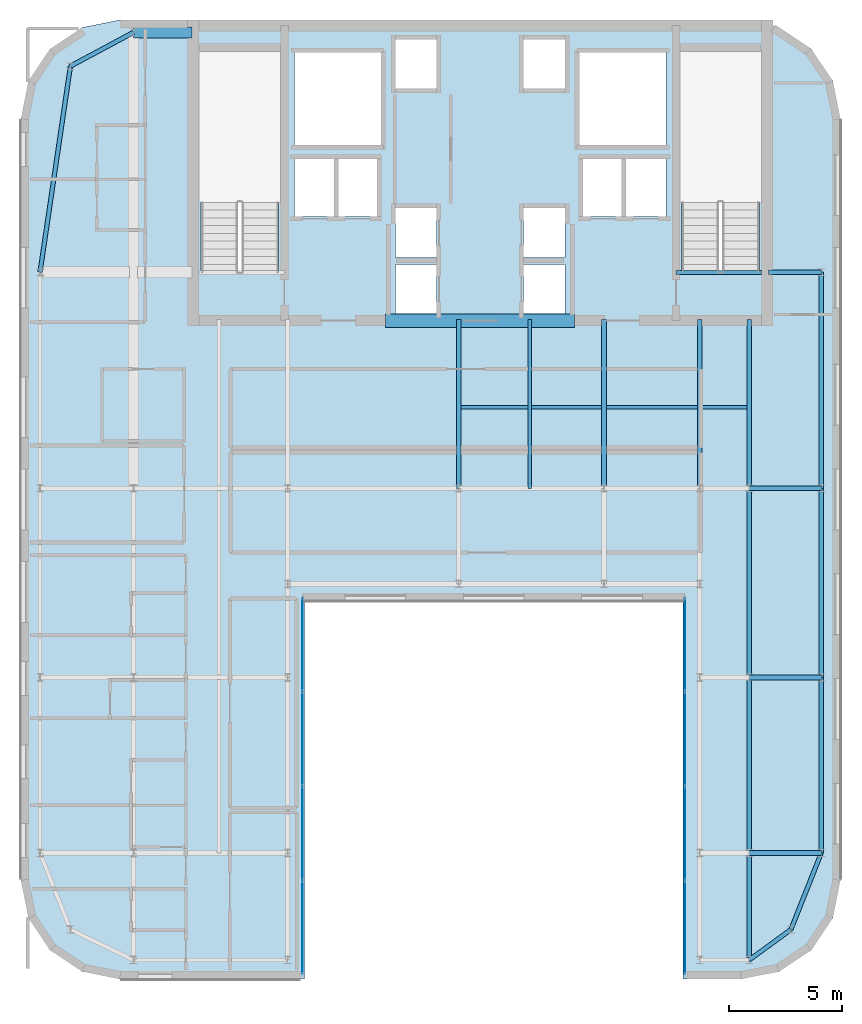
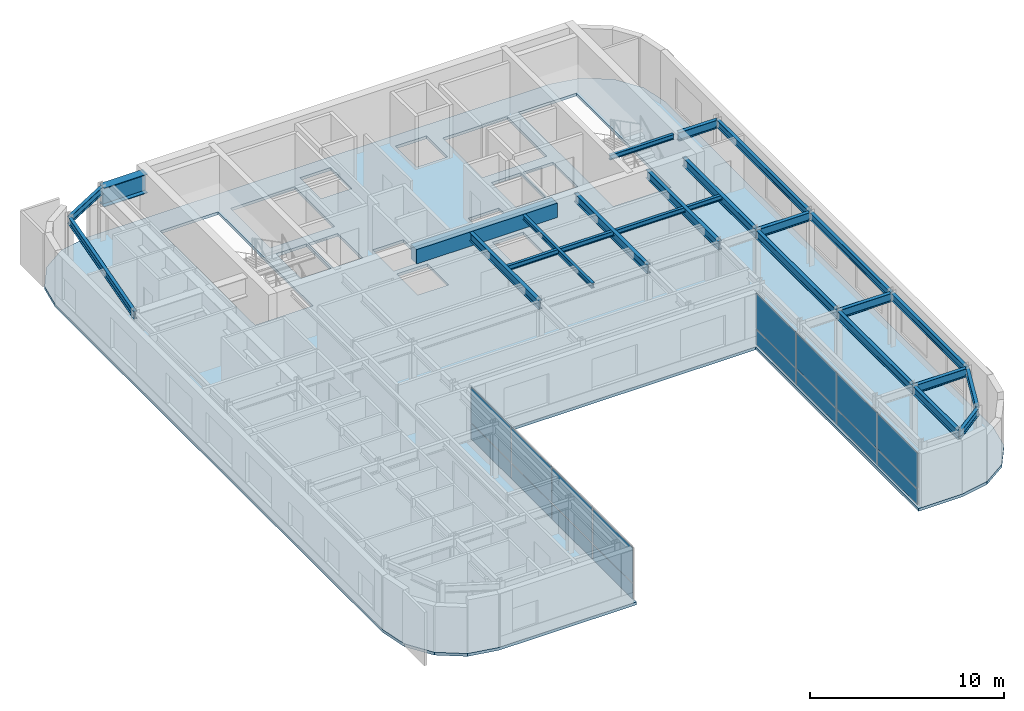
# One storey, part 12 of 21: 23 beams, 16 plates, 1 slab, 2 elements without a shape of their own.
"""IFC4 building model written with IfcOpenShell, lengths in metres."""

from ifc_helpers import new_model, si_unit, direction, frame, origin, origin_2d, place, context, subcontext, project, spatial, polyline, rectangle, i_section, outline, extrude, source, transform, mapped, material, layer, layer_set, material_profile, profile_set, type_object, type_shapes, element, aggregate, save


model = new_model("IFC4")

# Units and contexts
model_context = context("Model", 3, precision=1e-05, world=origin(), true_north=direction((0.0, 1.0)))
body_context = subcontext(model_context, "Body", "Model", "MODEL_VIEW")
ifc_project = project(units=[si_unit("LENGTHUNIT", "METRE"), si_unit("AREAUNIT", "SQUARE_METRE"), si_unit("VOLUMEUNIT", "CUBIC_METRE"), si_unit("PLANEANGLEUNIT", "RADIAN"), si_unit("MASSUNIT", "GRAM", prefix="KILO")], contexts=[model_context])

# Site, building, storey
site_placement = place(None, origin())
site = spatial("IfcSite", under=ifc_project, at=site_placement, CompositionType="ELEMENT")
building_placement = place(site_placement, origin())
building = spatial("IfcBuilding", under=site, at=building_placement, Name="Tolvann Quenvar Hotel", CompositionType="ELEMENT")
storey_placement = place(building_placement, frame((0.0, 0.0, 262.949951171875)))
storey = spatial("IfcBuildingStorey", under=building, at=storey_placement, Name="L70", CompositionType="ELEMENT", Elevation=262.949951171875)

# Beams
ifc_material_1 = material(Name="Concrete N50 (50 MPa)", Category="concrete")
ifc_material_profile_1 = material_profile(ifc_material_1, rectangle(XDim=0.60009765625, YDim=0.89990234375, at=origin_2d()), Name="RC600x900")
ifc_profile_set_1 = profile_set([ifc_material_profile_1], Name="Concrete N50 (50 MPa)")
beam_type_1 = type_object("IfcBeamType", Name="BM_LINT_RC600x900", PredefinedType="LINTEL", material=ifc_profile_set_1)
shared_shape_1 = source(origin(), body_context, "Body", "SweptSolid", [
    extrude(rectangle(XDim=0.60009765625, YDim=0.89990234375, at=origin_2d()), origin(), (0.0, 0.0, 1.0), 8.39990234375),
])
type_shapes(beam_type_1, [shared_shape_1])
beam_1_placement = place(storey_placement, frame((18.800048828125, 31.85009765625, 2.920166015625), z_axis=(1.0, 0.0, 0.0), x_axis=(0.0, 1.0, 0.0)))
element("IfcBeam", 1, at=beam_1_placement, inside=storey, type_object=beam_type_1, Name="Core Coupling Lintel Beam (L70)", PredefinedType="LINTEL", context=body_context, shape_type="MappedRepresentation", body=[
    mapped(shared_shape_1, transform((0.0, 0.0, 0.0), x_axis=(1.0, 0.0, 0.0), y_axis=(0.0, 1.0, 0.0), z_axis=(0.0, 0.0, 1.0), scale=1.0)),
])
ifc_material_2 = material(Name="Steel Grade 350", Category="steel")
ifc_material_profile_2 = material_profile(ifc_material_2, i_section(OverallWidth=0.208984375, OverallDepth=0.532958984375, WebThickness=0.01025390625, FlangeThickness=0.015625, FilletRadius=0.013916015625, at=origin_2d()), Name="530UB92")
ifc_profile_set_2 = profile_set([ifc_material_profile_2], Name="Steel Grade 350")
beam_type_2 = type_object("IfcBeamType", Name="BM_GIRD_530UB92", PredefinedType="BEAM", material=ifc_profile_set_2)
shared_shape_2 = source(origin(), body_context, "Body", "SweptSolid", [
    extrude(i_section(OverallWidth=0.208984375, OverallDepth=0.532958984375, WebThickness=0.01025390625, FlangeThickness=0.015625, FilletRadius=0.013916015625, at=origin_2d()), origin(), (0.0, 0.0, 1.0), 7.800048828125),
])
beam_2_placement = place(storey_placement, frame((34.949951171875, 8.199951171875, 3.103515625), z_axis=(0.0, 1.0, 0.0), x_axis=(-1.0, 0.0, 0.0)))
element("IfcBeam", 2, at=beam_2_placement, inside=storey, type_object=beam_type_2, Name="BM-L70-NS-F3-F4", PredefinedType="BEAM", context=body_context, shape_type="MappedRepresentation", body=[
    mapped(shared_shape_2, transform((0.0, 0.0, 0.0), x_axis=(1.0, 0.0, 0.0), y_axis=(0.0, 1.0, 0.0), z_axis=(0.0, 0.0, 1.0), scale=1.0)),
])
shared_shape_3 = source(origin(), body_context, "Body", "SweptSolid", [
    extrude(i_section(OverallWidth=0.208984375, OverallDepth=0.532958984375, WebThickness=0.01025390625, FlangeThickness=0.015625, FilletRadius=0.013916015625, at=origin_2d()), origin(), (0.0, 0.0, 1.0), 8.39990234375),
])
beam_3_placement = place(storey_placement, frame((34.949951171875, 16.0, 3.103515625), z_axis=(0.0, 1.0, 0.0), x_axis=(-1.0, 0.0, 0.0)))
element("IfcBeam", 3, at=beam_3_placement, inside=storey, type_object=beam_type_2, Name="BM-L70-NS-F4-F5", PredefinedType="BEAM", context=body_context, shape_type="MappedRepresentation", body=[
    mapped(shared_shape_3, transform((0.0, 0.0, 0.0), x_axis=(1.0, 0.0, 0.0), y_axis=(0.0, 1.0, 0.0), z_axis=(0.0, 0.0, 1.0), scale=1.0)),
])
ifc_material_profile_3 = material_profile(ifc_material_2, i_section(OverallWidth=0.5, OverallDepth=1.199951171875, WebThickness=0.01611328125, FlangeThickness=0.0400390625, at=origin_2d()), Name="1200WB455")
ifc_profile_set_3 = profile_set([ifc_material_profile_3], Name="Steel Grade 350")
beam_type_3 = type_object("IfcBeamType", Name="BM_TG_1200WB455", PredefinedType="USERDEFINED", material=ifc_profile_set_3)
shared_shape_4 = source(origin(), body_context, "Body", "SweptSolid", [
    extrude(i_section(OverallWidth=0.5, OverallDepth=1.199951171875, WebThickness=0.01611328125, FlangeThickness=0.0400390625, at=origin_2d()), origin(), (0.0, 0.0, 1.0), 2.599853515625),
])
type_shapes(beam_type_3, [shared_shape_4])
beam_4_placement = place(storey_placement, frame((7.60009765625, 44.64990234375, 2.77001953125), z_axis=(1.0, 0.0, 0.0), x_axis=(0.0, 1.0, 0.0)))
element("IfcBeam", 4, at=beam_4_placement, inside=storey, type_object=beam_type_3, Name="BM-L70-CTW-CN", ObjectType="TRANSFER GIRDER", PredefinedType="USERDEFINED", context=body_context, shape_type="MappedRepresentation", body=[
    mapped(shared_shape_4, transform((0.0, 0.0, 0.0), x_axis=(1.0, 0.0, 0.0), y_axis=(0.0, 1.0, 0.0), z_axis=(0.0, 0.0, 1.0), scale=1.0)),
])
ifc_material_profile_4 = material_profile(ifc_material_2, i_section(OverallWidth=0.166015625, OverallDepth=0.306884765625, WebThickness=0.006591796875, FlangeThickness=0.01171875, FilletRadius=0.011474609375, at=origin_2d()), Name="310UB46")
ifc_profile_set_4 = profile_set([ifc_material_profile_4], Name="Steel Grade 350")
beam_type_4 = type_object("IfcBeamType", Name="BM_JOIST_310UB46", PredefinedType="JOIST", material=ifc_profile_set_4)
shared_shape_5 = source(origin(), body_context, "Body", "SweptSolid", [
    extrude(i_section(OverallWidth=0.166015625, OverallDepth=0.306884765625, WebThickness=0.006591796875, FlangeThickness=0.01171875, FilletRadius=0.011474609375, at=origin_2d()), origin(), (0.0, 0.0, 1.0), 3.800048828125),
])
beam_5_placement = place(storey_placement, frame((31.699951171875, 33.97998046875, 3.216552734375), z_axis=(1.0, 0.0, 0.0), x_axis=(0.0, 1.0, 0.0)))
element("IfcBeam", 5, at=beam_5_placement, inside=storey, type_object=beam_type_4, Name="BM-HDR-STC2-L71", PredefinedType="JOIST", context=body_context, shape_type="MappedRepresentation", body=[
    mapped(shared_shape_5, transform((0.0, 0.0, 0.0), x_axis=(1.0, 0.0, 0.0), y_axis=(0.0, 1.0, 0.0), z_axis=(0.0, 0.0, 1.0), scale=1.0)),
])
shared_shape_6 = source(origin(), body_context, "Body", "SweptSolid", [
    extrude(i_section(OverallWidth=0.208984375, OverallDepth=0.532958984375, WebThickness=0.01025390625, FlangeThickness=0.015625, FilletRadius=0.013916015625, at=origin_2d()), origin(), (0.0, 0.0, 1.0), 4.75),
])
beam_6_placement = place(storey_placement, frame((34.949951171875, 3.449951171875, 3.103515625), z_axis=(0.0, 1.0, 0.0), x_axis=(-1.0, 0.0, 0.0)))
element("IfcBeam", 6, at=beam_6_placement, inside=storey, type_object=beam_type_2, Name="BM-L70-NS-F2-F3", PredefinedType="BEAM", context=body_context, shape_type="MappedRepresentation", body=[
    mapped(shared_shape_6, transform((0.0, 0.0, 0.0), x_axis=(1.0, 0.0, 0.0), y_axis=(0.0, 1.0, 0.0), z_axis=(0.0, 0.0, 1.0), scale=1.0)),
])
ifc_material_profile_5 = material_profile(ifc_material_2, i_section(OverallWidth=0.19091796875, OverallDepth=0.4599609375, WebThickness=0.010009765625, FlangeThickness=0.01611328125, FilletRadius=0.011474609375, at=origin_2d()), Name="460UB82")
ifc_profile_set_5 = profile_set([ifc_material_profile_5], Name="Steel Grade 350")
beam_type_5 = type_object("IfcBeamType", Name="BM_SPAND_460UB82", PredefinedType="SPANDREL", material=ifc_profile_set_5)
shared_shape_7 = source(origin(), body_context, "Body", "SweptSolid", [
    extrude(i_section(OverallWidth=0.19091796875, OverallDepth=0.4599609375, WebThickness=0.010009765625, FlangeThickness=0.01611328125, FilletRadius=0.011474609375, at=origin_2d()), origin(), (0.0, 0.0, 1.0), 7.800048828125),
])
beam_7_placement = place(storey_placement, frame((38.14990234375, 8.199951171875, 3.14013671875), z_axis=(0.0, 1.0, 0.0), x_axis=(-1.0, 0.0, 0.0)))
element("IfcBeam", 7, at=beam_7_placement, inside=storey, type_object=beam_type_5, Name="BM-L70-NS-G3-G4", PredefinedType="SPANDREL", context=body_context, shape_type="MappedRepresentation", body=[
    mapped(shared_shape_7, transform((0.0, 0.0, 0.0), x_axis=(1.0, 0.0, 0.0), y_axis=(0.0, 1.0, 0.0), z_axis=(0.0, 0.0, 1.0), scale=1.0)),
])
shared_shape_8 = source(origin(), body_context, "Body", "SweptSolid", [
    extrude(i_section(OverallWidth=0.19091796875, OverallDepth=0.4599609375, WebThickness=0.010009765625, FlangeThickness=0.01611328125, FilletRadius=0.011474609375, at=origin_2d()), origin(), (0.0, 0.0, 1.0), 8.39990234375),
])
beam_8_placement = place(storey_placement, frame((38.14990234375, 16.0, 3.14013671875), z_axis=(0.0, 1.0, 0.0), x_axis=(-1.0, 0.0, 0.0)))
element("IfcBeam", 8, at=beam_8_placement, inside=storey, type_object=beam_type_5, Name="BM-L70-NS-G4-G5", PredefinedType="SPANDREL", context=body_context, shape_type="MappedRepresentation", body=[
    mapped(shared_shape_8, transform((0.0, 0.0, 0.0), x_axis=(1.0, 0.0, 0.0), y_axis=(0.0, 1.0, 0.0), z_axis=(0.0, 0.0, 1.0), scale=1.0)),
])
shared_shape_9 = source(origin(), body_context, "Body", "SweptSolid", [
    extrude(i_section(OverallWidth=0.19091796875, OverallDepth=0.4599609375, WebThickness=0.010009765625, FlangeThickness=0.01611328125, FilletRadius=0.011474609375, at=origin_2d()), origin(), (0.0, 0.0, 1.0), 3.657958984375),
])
beam_9_placement = place(storey_placement, frame((36.800048828125, 4.800048828125, 3.14013671875), z_axis=(0.369007513371, 0.929426411867, 0.0), x_axis=(-0.929426411867, 0.369007513371, 0.0)))
element("IfcBeam", 9, at=beam_9_placement, inside=storey, type_object=beam_type_5, Name="BM-L70-NS-G2-G3", PredefinedType="SPANDREL", context=body_context, shape_type="MappedRepresentation", body=[
    mapped(shared_shape_9, transform((0.0, 0.0, 0.0), x_axis=(1.0, 0.0, 0.0), y_axis=(0.0, 1.0, 0.0), z_axis=(0.0, 0.0, 1.0), scale=1.0)),
])
shared_shape_10 = source(origin(), body_context, "Body", "SweptSolid", [
    extrude(i_section(OverallWidth=0.19091796875, OverallDepth=0.4599609375, WebThickness=0.010009765625, FlangeThickness=0.01611328125, FilletRadius=0.011474609375, at=origin_2d()), origin(), (0.0, 0.0, 1.0), 9.60009765625),
])
beam_10_placement = place(storey_placement, frame((38.14990234375, 24.39990234375, 3.14013671875), z_axis=(0.0, 1.0, 0.0), x_axis=(-1.0, 0.0, 0.0)))
element("IfcBeam", 10, at=beam_10_placement, inside=storey, type_object=beam_type_5, Name="BM-L70-FLK-G1", PredefinedType="SPANDREL", context=body_context, shape_type="MappedRepresentation", body=[
    mapped(shared_shape_10, transform((0.0, 0.0, 0.0), x_axis=(1.0, 0.0, 0.0), y_axis=(0.0, 1.0, 0.0), z_axis=(0.0, 0.0, 1.0), scale=1.0)),
])
shared_shape_11 = source(origin(), body_context, "Body", "SweptSolid", [
    extrude(i_section(OverallWidth=0.19091796875, OverallDepth=0.4599609375, WebThickness=0.010009765625, FlangeThickness=0.01611328125, FilletRadius=0.011474609375, at=origin_2d()), origin(), (0.0, 0.0, 1.0), 9.2490234375),
])
beam_11_placement = place(storey_placement, frame((3.449951171875, 34.0, 3.14013671875), z_axis=(0.145972731602, 0.989288613918, 0.0), x_axis=(-0.989288613918, 0.145972731602, 0.0)))
element("IfcBeam", 11, at=beam_11_placement, inside=storey, type_object=beam_type_5, Name="BM-L70-FLK-W2", PredefinedType="SPANDREL", context=body_context, shape_type="MappedRepresentation", body=[
    mapped(shared_shape_11, transform((0.0, 0.0, 0.0), x_axis=(1.0, 0.0, 0.0), y_axis=(0.0, 1.0, 0.0), z_axis=(0.0, 0.0, 1.0), scale=1.0)),
])
shared_shape_12 = source(origin(), body_context, "Body", "SweptSolid", [
    extrude(i_section(OverallWidth=0.19091796875, OverallDepth=0.4599609375, WebThickness=0.010009765625, FlangeThickness=0.01611328125, FilletRadius=0.011474609375, at=origin_2d()), origin(), (0.0, 0.0, 1.0), 3.176513671875),
])
beam_12_placement = place(storey_placement, frame((4.800048828125, 43.14990234375, 3.14013671875), z_axis=(0.881483397762, 0.472215014025, 0.0), x_axis=(-0.472215014025, 0.881483397762, 0.0)))
element("IfcBeam", 12, at=beam_12_placement, inside=storey, type_object=beam_type_5, Name="BM-L70-FLK-W3", PredefinedType="SPANDREL", context=body_context, shape_type="MappedRepresentation", body=[
    mapped(shared_shape_12, transform((0.0, 0.0, 0.0), x_axis=(1.0, 0.0, 0.0), y_axis=(0.0, 1.0, 0.0), z_axis=(0.0, 0.0, 1.0), scale=1.0)),
])
shared_shape_13 = source(origin(), body_context, "Body", "SweptSolid", [
    extrude(i_section(OverallWidth=0.166015625, OverallDepth=0.306884765625, WebThickness=0.006591796875, FlangeThickness=0.01171875, FilletRadius=0.011474609375, at=origin_2d()), origin(), (0.0, 0.0, 1.0), 12.89990234375),
])
beam_13_placement = place(storey_placement, frame((22.050048828125, 28.0, 3.216552734375), z_axis=(1.0, 0.0, 0.0), x_axis=(0.0, 1.0, 0.0)))
element("IfcBeam", 13, at=beam_13_placement, inside=storey, type_object=beam_type_4, Name="BM-L70-SPINE-28", PredefinedType="JOIST", context=body_context, shape_type="MappedRepresentation", body=[
    mapped(shared_shape_13, transform((0.0, 0.0, 0.0), x_axis=(1.0, 0.0, 0.0), y_axis=(0.0, 1.0, 0.0), z_axis=(0.0, 0.0, 1.0), scale=1.0)),
])
shared_shape_14 = source(origin(), body_context, "Body", "SweptSolid", [
    extrude(i_section(OverallWidth=0.166015625, OverallDepth=0.306884765625, WebThickness=0.006591796875, FlangeThickness=0.01171875, FilletRadius=0.011474609375, at=origin_2d()), origin(), (0.0, 0.0, 1.0), 7.5),
])
type_shapes(beam_type_4, [shared_shape_5, shared_shape_13, shared_shape_14])
beam_14_placement = place(storey_placement, frame((25.199951171875, 24.39990234375, 3.216552734375), z_axis=(0.0, 1.0, 0.0), x_axis=(-1.0, 0.0, 0.0)))
element("IfcBeam", 14, at=beam_14_placement, inside=storey, type_object=beam_type_4, Name="BJ-L70-252-244", PredefinedType="JOIST", context=body_context, shape_type="MappedRepresentation", body=[
    mapped(shared_shape_14, transform((0.0, 0.0, 0.0), x_axis=(1.0, 0.0, 0.0), y_axis=(0.0, 1.0, 0.0), z_axis=(0.0, 0.0, 1.0), scale=1.0)),
])
shared_shape_15 = source(origin(), body_context, "Body", "SweptSolid", [
    extrude(i_section(OverallWidth=0.19091796875, OverallDepth=0.4599609375, WebThickness=0.010009765625, FlangeThickness=0.01611328125, FilletRadius=0.011474609375, at=origin_2d()), origin(), (0.0, 0.0, 1.0), 2.290283203125),
])
type_shapes(beam_type_5, [shared_shape_7, shared_shape_8, shared_shape_9, shared_shape_10, shared_shape_11, shared_shape_12, shared_shape_15])
beam_15_placement = place(storey_placement, frame((34.949951171875, 3.449951171875, 3.14013671875), z_axis=(0.807785460512, 0.589476589684, 0.0), x_axis=(-0.589476589684, 0.807785460512, 0.0)))
element("IfcBeam", 15, at=beam_15_placement, inside=storey, type_object=beam_type_5, Name="BM-L70-EW-2-F2-G2", PredefinedType="SPANDREL", context=body_context, shape_type="MappedRepresentation", body=[
    mapped(shared_shape_15, transform((0.0, 0.0, 0.0), x_axis=(1.0, 0.0, 0.0), y_axis=(0.0, 1.0, 0.0), z_axis=(0.0, 0.0, 1.0), scale=1.0)),
])
shared_shape_16 = source(origin(), body_context, "Body", "SweptSolid", [
    extrude(i_section(OverallWidth=0.208984375, OverallDepth=0.532958984375, WebThickness=0.01025390625, FlangeThickness=0.015625, FilletRadius=0.013916015625, at=origin_2d()), origin(), (0.0, 0.0, 1.0), 3.199951171875),
])
for number, where, z_axis, x_axis, name in (
    (16, (34.949951171875, 8.199951171875, 3.103515625), (1.0, 0.0, 0.0), (0.0, 1.0, 0.0), "BM-L70-EW-3-F3-G3"),
    (17, (34.949951171875, 16.0, 3.103515625), (1.0, 0.0, 0.0), (0.0, 1.0, 0.0), "BM-L70-EW-4-F4-G4"),
    (18, (34.949951171875, 24.39990234375, 3.103515625), (1.0, 0.0, 0.0), (0.0, 1.0, 0.0), "BM-L70-EW-5-F5-G5"),
):
    element("IfcBeam", number, at=place(storey_placement, frame(where, z_axis=z_axis, x_axis=x_axis)), inside=storey, type_object=beam_type_2, Name=name, PredefinedType="BEAM", context=body_context, shape_type="MappedRepresentation", body=[
        mapped(shared_shape_16, transform((0.0, 0.0, 0.0), x_axis=(1.0, 0.0, 0.0), y_axis=(0.0, 1.0, 0.0), z_axis=(0.0, 0.0, 1.0), scale=1.0)),
    ])
shared_shape_17 = source(origin(), body_context, "Body", "SweptSolid", [
    extrude(i_section(OverallWidth=0.208984375, OverallDepth=0.532958984375, WebThickness=0.01025390625, FlangeThickness=0.015625, FilletRadius=0.013916015625, at=origin_2d()), origin(), (0.0, 0.0, 1.0), 7.5),
])
for number, where, z_axis, x_axis, name in (
    (19, (22.050048828125, 24.39990234375, 3.103515625), (0.0, 1.0, 0.0), (-1.0, 0.0, 0.0), "BM-L70-CORE-E5"),
    (20, (34.949951171875, 24.39990234375, 3.103515625), (0.0, 1.0, 0.0), (-1.0, 0.0, 0.0), "BM-L70-CORE-F5"),
    (21, (32.75, 24.39990234375, 3.103515625), (0.0, 1.0, 0.0), (-1.0, 0.0, 0.0), "BM-L70-CORE-FP5"),
    (22, (28.5, 24.39990234375, 3.103515625), (0.0, 1.0, 0.0), (-1.0, 0.0, 0.0), "BM-L70-CORE-M5"),
):
    element("IfcBeam", number, at=place(storey_placement, frame(where, z_axis=z_axis, x_axis=x_axis)), inside=storey, type_object=beam_type_2, Name=name, PredefinedType="BEAM", context=body_context, shape_type="MappedRepresentation", body=[
        mapped(shared_shape_17, transform((0.0, 0.0, 0.0), x_axis=(1.0, 0.0, 0.0), y_axis=(0.0, 1.0, 0.0), z_axis=(0.0, 0.0, 1.0), scale=1.0)),
    ])
shared_shape_18 = source(origin(), body_context, "Body", "SweptSolid", [
    extrude(i_section(OverallWidth=0.208984375, OverallDepth=0.532958984375, WebThickness=0.01025390625, FlangeThickness=0.015625, FilletRadius=0.013916015625, at=origin_2d()), origin(), (0.0, 0.0, 1.0), 2.349853515625),
])
type_shapes(beam_type_2, [shared_shape_2, shared_shape_3, shared_shape_6, shared_shape_16, shared_shape_17, shared_shape_18])
beam_16_placement = place(storey_placement, frame((35.800048828125, 34.0, 3.103515625), z_axis=(1.0, 0.0, 0.0), x_axis=(0.0, 1.0, 0.0)))
element("IfcBeam", 23, at=beam_16_placement, inside=storey, type_object=beam_type_2, Name="BM-L70-CTE-GD6", PredefinedType="BEAM", context=body_context, shape_type="MappedRepresentation", body=[
    mapped(shared_shape_18, transform((0.0, 0.0, 0.0), x_axis=(1.0, 0.0, 0.0), y_axis=(0.0, 1.0, 0.0), z_axis=(0.0, 0.0, 1.0), scale=1.0)),
])

# Slab
ifc_material_3 = material(Name="Concrete N40 (40 MPa)", Category="concrete")
ifc_layer_1 = layer(ifc_material_3, 0.179931640625)
ifc_layer_set_1 = layer_set([ifc_layer_1], Name="Concrete N40 (40 MPa)")
slab_type = type_object("IfcSlabType", Name="SLAB_TWR_180", PredefinedType="FLOOR", material=ifc_layer_set_1)
slab_placement = place(storey_placement, frame((0.0, 0.0, -0.179931640625)))
element("IfcSlab", 24, at=slab_placement, inside=storey, type_object=slab_type, Name="Level L70 Structural Floor Slab", PredefinedType="FLOOR", context=body_context, shape_type="SweptSolid", body=[
    extrude(outline(polyline([(2.60009765625, 7.0), (2.934814453125, 5.316162109375), (3.888671875, 3.888671875), (5.316162109375, 2.934814453125), (7.0, 2.60009765625), (15.199951171875, 2.60009765625), (15.199951171875, 19.39990234375), (32.0, 19.39990234375), (32.0, 2.60009765625), (34.60009765625, 2.60009765625), (36.28369140625, 2.934814453125), (37.711181640625, 3.888671875), (38.6650390625, 5.316162109375), (39.0, 7.0), (39.0, 40.800048828125), (38.6650390625, 42.48388671875), (37.711181640625, 43.911376953125), (36.28369140625, 44.864990234375), (34.60009765625, 45.199951171875), (7.0, 45.199951171875), (5.316162109375, 44.864990234375), (3.888671875, 43.911376953125), (2.934814453125, 42.48388671875), (2.60009765625, 40.800048828125), (2.60009765625, 7.0)]), holes=[polyline([(31.949951171875, 34.02490234375), (31.949951171875, 43.800048828125), (35.39990234375, 43.800048828125), (35.39990234375, 34.02490234375), (31.949951171875, 34.02490234375)]), polyline([(27.39990234375, 43.75), (31.25, 43.75), (31.25, 39.64990234375), (27.39990234375, 39.64990234375), (27.39990234375, 43.75)]), polyline([(29.449951171875, 39.02001953125), (31.25, 39.02001953125), (31.25, 36.47998046875), (29.449951171875, 36.47998046875), (29.449951171875, 39.02001953125)]), polyline([(27.574951171875, 39.02001953125), (29.324951171875, 39.02001953125), (29.324951171875, 36.47998046875), (27.574951171875, 36.47998046875), (27.574951171875, 39.02001953125)]), polyline([(24.929931640625, 36.840087890625), (26.77001953125, 36.840087890625), (26.77001953125, 34.659912109375), (24.929931640625, 34.659912109375), (24.929931640625, 36.840087890625)]), polyline([(24.929931640625, 44.340087890625), (26.77001953125, 44.340087890625), (26.77001953125, 42.159912109375), (24.929931640625, 42.159912109375), (24.929931640625, 44.340087890625)]), polyline([(24.929931640625, 32.159912109375), (24.929931640625, 34.340087890625), (26.77001953125, 34.340087890625), (26.77001953125, 32.159912109375), (24.929931640625, 32.159912109375)]), polyline([(19.22998046875, 36.840087890625), (21.070068359375, 36.840087890625), (21.070068359375, 34.659912109375), (19.22998046875, 34.659912109375), (19.22998046875, 36.840087890625)]), polyline([(19.22998046875, 44.340087890625), (21.070068359375, 44.340087890625), (21.070068359375, 42.159912109375), (19.22998046875, 42.159912109375), (19.22998046875, 44.340087890625)]), polyline([(19.22998046875, 32.159912109375), (19.22998046875, 34.340087890625), (21.070068359375, 34.340087890625), (21.070068359375, 32.159912109375), (19.22998046875, 32.159912109375)]), polyline([(14.75, 43.75), (18.60009765625, 43.75), (18.60009765625, 39.64990234375), (14.75, 39.64990234375), (14.75, 43.75)]), polyline([(16.675048828125, 39.02001953125), (18.425048828125, 39.02001953125), (18.425048828125, 36.47998046875), (16.675048828125, 36.47998046875), (16.675048828125, 39.02001953125)]), polyline([(14.75, 39.02001953125), (16.550048828125, 39.02001953125), (16.550048828125, 36.47998046875), (14.75, 36.47998046875), (14.75, 39.02001953125)]), polyline([(10.60009765625, 34.02490234375), (10.60009765625, 43.800048828125), (14.050048828125, 43.800048828125), (14.050048828125, 34.02490234375), (10.60009765625, 34.02490234375)])]), origin(), (0.0, 0.0, 1.0), 0.179931640625),
])

# Curtain wall, plates
ifc_material_4 = material(Name="Thermally broken anodised architectural aluminium 6063-T6 and laminated low-E glass", Category="aluminium")
ifc_layer_2 = layer(ifc_material_4, 0.179931640625)
ifc_layer_set_2 = layer_set([ifc_layer_2], Name="Thermally broken anodised architectural aluminium 6063-T6 and laminated low-E glass")
curtain_wall_type = type_object("IfcCurtainWallType", Name="CW_SYS_PORTAL_05", PredefinedType="USERDEFINED", material=ifc_layer_set_2)
curtain_wall_1_placement = place(storey_placement, origin())
curtain_wall_1 = element("IfcCurtainWall", 25, at=curtain_wall_1_placement, inside=storey, type_object=curtain_wall_type, Name="Curtain Wall CW-PORTAL-05 (CWR-L70-E05)", ObjectType="UNITISED CURTAIN WALL", PredefinedType="USERDEFINED")
ifc_material_5 = material(Name="Low-iron laminated double glazing with solar-control coating", Category="glass")
ifc_layer_3 = layer(ifc_material_5, 0.028076171875)
ifc_layer_set_3 = layer_set([ifc_layer_3], Name="Low-iron laminated double glazing with solar-control coating")
plate_type = type_object("IfcPlateType", Name="CW_PAN_VISION_28", PredefinedType="CURTAIN_PANEL", material=ifc_layer_set_3)
shared_shape_19 = source(origin(), body_context, "Body", "SweptSolid", [
    extrude(rectangle(XDim=4.094970703125, YDim=0.028076171875, at=origin_2d()), origin(), (0.0, 0.0, 1.0), 0.9599609375),
])
plate_1_placement = place(storey_placement, frame((15.110107421875, 4.892578125, 0.06005859375), z_axis=(0.0, 0.0, 1.0), x_axis=(0.0, 1.0, 0.0)))
plate_1 = element("IfcPlate", 26, at=plate_1_placement, type_object=plate_type, Name="CW-PORTAL-05 panel 1.1", PredefinedType="CURTAIN_PANEL", context=body_context, shape_type="MappedRepresentation", body=[
    mapped(shared_shape_19, transform((0.0, 0.0, 0.0), x_axis=(1.0, 0.0, 0.0), y_axis=(0.0, 1.0, 0.0), z_axis=(0.0, 0.0, 1.0), scale=1.0)),
])
plate_2_placement = place(storey_placement, frame((15.110107421875, 17.45751953125, 0.06005859375), z_axis=(0.0, 0.0, 1.0), x_axis=(0.0, 1.0, 0.0)))
plate_2 = element("IfcPlate", 27, at=plate_2_placement, type_object=plate_type, Name="CW-PORTAL-05 panel 4.1", PredefinedType="CURTAIN_PANEL", context=body_context, shape_type="MappedRepresentation", body=[
    mapped(shared_shape_19, transform((0.0, 0.0, 0.0), x_axis=(1.0, 0.0, 0.0), y_axis=(0.0, 1.0, 0.0), z_axis=(0.0, 0.0, 1.0), scale=1.0)),
])

curtain_wall_2_placement = place(storey_placement, origin())
curtain_wall_2 = element("IfcCurtainWall", 28, at=curtain_wall_2_placement, inside=storey, type_object=curtain_wall_type, Name="Curtain Wall CW-PORTAL-05 (CWR-L70-E07)", ObjectType="UNITISED CURTAIN WALL", PredefinedType="USERDEFINED")
plate_3_placement = place(storey_placement, frame((32.090087890625, 17.45751953125, 0.06005859375), z_axis=(0.0, 0.0, 1.0), x_axis=(0.0, -1.0, 0.0)))
plate_3 = element("IfcPlate", 29, at=plate_3_placement, type_object=plate_type, Name="CW-PORTAL-05 panel 1.1", PredefinedType="CURTAIN_PANEL", context=body_context, shape_type="MappedRepresentation", body=[
    mapped(shared_shape_19, transform((0.0, 0.0, 0.0), x_axis=(1.0, 0.0, 0.0), y_axis=(0.0, 1.0, 0.0), z_axis=(0.0, 0.0, 1.0), scale=1.0)),
])
plate_4_placement = place(storey_placement, frame((32.090087890625, 4.892578125, 0.06005859375), z_axis=(0.0, 0.0, 1.0), x_axis=(0.0, -1.0, 0.0)))
plate_4 = element("IfcPlate", 30, at=plate_4_placement, type_object=plate_type, Name="CW-PORTAL-05 panel 4.1", PredefinedType="CURTAIN_PANEL", context=body_context, shape_type="MappedRepresentation", body=[
    mapped(shared_shape_19, transform((0.0, 0.0, 0.0), x_axis=(1.0, 0.0, 0.0), y_axis=(0.0, 1.0, 0.0), z_axis=(0.0, 0.0, 1.0), scale=1.0)),
])

# Plate
shared_shape_20 = source(origin(), body_context, "Body", "SweptSolid", [
    extrude(rectangle(XDim=4.094970703125, YDim=0.028076171875, at=origin_2d()), origin(), (0.0, 0.0, 1.0), 2.22998046875),
])
plate_5_placement = place(storey_placement, frame((15.110107421875, 4.892578125, 1.080078125), z_axis=(0.0, 0.0, 1.0), x_axis=(0.0, 1.0, 0.0)))
plate_5 = element("IfcPlate", 31, at=plate_5_placement, type_object=plate_type, Name="CW-PORTAL-05 panel 1.2", PredefinedType="CURTAIN_PANEL", context=body_context, shape_type="MappedRepresentation", body=[
    mapped(shared_shape_20, transform((0.0, 0.0, 0.0), x_axis=(1.0, 0.0, 0.0), y_axis=(0.0, 1.0, 0.0), z_axis=(0.0, 0.0, 1.0), scale=1.0)),
])

plate_6_placement = place(storey_placement, frame((15.110107421875, 17.45751953125, 1.080078125), z_axis=(0.0, 0.0, 1.0), x_axis=(0.0, 1.0, 0.0)))
plate_6 = element("IfcPlate", 32, at=plate_6_placement, type_object=plate_type, Name="CW-PORTAL-05 panel 4.2", PredefinedType="CURTAIN_PANEL", context=body_context, shape_type="MappedRepresentation", body=[
    mapped(shared_shape_20, transform((0.0, 0.0, 0.0), x_axis=(1.0, 0.0, 0.0), y_axis=(0.0, 1.0, 0.0), z_axis=(0.0, 0.0, 1.0), scale=1.0)),
])

plate_7_placement = place(storey_placement, frame((32.090087890625, 17.45751953125, 1.080078125), z_axis=(0.0, 0.0, 1.0), x_axis=(0.0, -1.0, 0.0)))
plate_7 = element("IfcPlate", 33, at=plate_7_placement, type_object=plate_type, Name="CW-PORTAL-05 panel 1.2", PredefinedType="CURTAIN_PANEL", context=body_context, shape_type="MappedRepresentation", body=[
    mapped(shared_shape_20, transform((0.0, 0.0, 0.0), x_axis=(1.0, 0.0, 0.0), y_axis=(0.0, 1.0, 0.0), z_axis=(0.0, 0.0, 1.0), scale=1.0)),
])

plate_8_placement = place(storey_placement, frame((32.090087890625, 4.892578125, 1.080078125), z_axis=(0.0, 0.0, 1.0), x_axis=(0.0, -1.0, 0.0)))
plate_8 = element("IfcPlate", 34, at=plate_8_placement, type_object=plate_type, Name="CW-PORTAL-05 panel 4.2", PredefinedType="CURTAIN_PANEL", context=body_context, shape_type="MappedRepresentation", body=[
    mapped(shared_shape_20, transform((0.0, 0.0, 0.0), x_axis=(1.0, 0.0, 0.0), y_axis=(0.0, 1.0, 0.0), z_axis=(0.0, 0.0, 1.0), scale=1.0)),
])

shared_shape_21 = source(origin(), body_context, "Body", "SweptSolid", [
    extrude(rectangle(XDim=4.1298828125, YDim=0.028076171875, at=origin_2d()), origin(), (0.0, 0.0, 1.0), 0.9599609375),
])
plate_9_placement = place(storey_placement, frame((15.110107421875, 9.074951171875, 0.06005859375), z_axis=(0.0, 0.0, 1.0), x_axis=(0.0, 1.0, 0.0)))
plate_9 = element("IfcPlate", 35, at=plate_9_placement, type_object=plate_type, Name="CW-PORTAL-05 panel 2.1", PredefinedType="CURTAIN_PANEL", context=body_context, shape_type="MappedRepresentation", body=[
    mapped(shared_shape_21, transform((0.0, 0.0, 0.0), x_axis=(1.0, 0.0, 0.0), y_axis=(0.0, 1.0, 0.0), z_axis=(0.0, 0.0, 1.0), scale=1.0)),
])

plate_10_placement = place(storey_placement, frame((15.110107421875, 13.27490234375, 0.06005859375), z_axis=(0.0, 0.0, 1.0), x_axis=(0.0, 1.0, 0.0)))
plate_10 = element("IfcPlate", 36, at=plate_10_placement, type_object=plate_type, Name="CW-PORTAL-05 panel 3.1", PredefinedType="CURTAIN_PANEL", context=body_context, shape_type="MappedRepresentation", body=[
    mapped(shared_shape_21, transform((0.0, 0.0, 0.0), x_axis=(1.0, 0.0, 0.0), y_axis=(0.0, 1.0, 0.0), z_axis=(0.0, 0.0, 1.0), scale=1.0)),
])

plate_11_placement = place(storey_placement, frame((32.090087890625, 13.27490234375, 0.06005859375), z_axis=(0.0, 0.0, 1.0), x_axis=(0.0, -1.0, 0.0)))
plate_11 = element("IfcPlate", 37, at=plate_11_placement, type_object=plate_type, Name="CW-PORTAL-05 panel 2.1", PredefinedType="CURTAIN_PANEL", context=body_context, shape_type="MappedRepresentation", body=[
    mapped(shared_shape_21, transform((0.0, 0.0, 0.0), x_axis=(1.0, 0.0, 0.0), y_axis=(0.0, 1.0, 0.0), z_axis=(0.0, 0.0, 1.0), scale=1.0)),
])

plate_12_placement = place(storey_placement, frame((32.090087890625, 9.074951171875, 0.06005859375), z_axis=(0.0, 0.0, 1.0), x_axis=(0.0, -1.0, 0.0)))
plate_12 = element("IfcPlate", 38, at=plate_12_placement, type_object=plate_type, Name="CW-PORTAL-05 panel 3.1", PredefinedType="CURTAIN_PANEL", context=body_context, shape_type="MappedRepresentation", body=[
    mapped(shared_shape_21, transform((0.0, 0.0, 0.0), x_axis=(1.0, 0.0, 0.0), y_axis=(0.0, 1.0, 0.0), z_axis=(0.0, 0.0, 1.0), scale=1.0)),
])

shared_shape_22 = source(origin(), body_context, "Body", "SweptSolid", [
    extrude(rectangle(XDim=4.1298828125, YDim=0.028076171875, at=origin_2d()), origin(), (0.0, 0.0, 1.0), 2.22998046875),
])
type_shapes(plate_type, [shared_shape_19, shared_shape_20, shared_shape_21, shared_shape_22])
plate_13_placement = place(storey_placement, frame((15.110107421875, 9.074951171875, 1.080078125), z_axis=(0.0, 0.0, 1.0), x_axis=(0.0, 1.0, 0.0)))
plate_13 = element("IfcPlate", 39, at=plate_13_placement, type_object=plate_type, Name="CW-PORTAL-05 panel 2.2", PredefinedType="CURTAIN_PANEL", context=body_context, shape_type="MappedRepresentation", body=[
    mapped(shared_shape_22, transform((0.0, 0.0, 0.0), x_axis=(1.0, 0.0, 0.0), y_axis=(0.0, 1.0, 0.0), z_axis=(0.0, 0.0, 1.0), scale=1.0)),
])

plate_14_placement = place(storey_placement, frame((15.110107421875, 13.27490234375, 1.080078125), z_axis=(0.0, 0.0, 1.0), x_axis=(0.0, 1.0, 0.0)))
plate_14 = element("IfcPlate", 40, at=plate_14_placement, type_object=plate_type, Name="CW-PORTAL-05 panel 3.2", PredefinedType="CURTAIN_PANEL", context=body_context, shape_type="MappedRepresentation", body=[
    mapped(shared_shape_22, transform((0.0, 0.0, 0.0), x_axis=(1.0, 0.0, 0.0), y_axis=(0.0, 1.0, 0.0), z_axis=(0.0, 0.0, 1.0), scale=1.0)),
])

aggregate(curtain_wall_1, [plate_1, plate_5, plate_9, plate_13, plate_10, plate_14, plate_2, plate_6])

plate_15_placement = place(storey_placement, frame((32.090087890625, 13.27490234375, 1.080078125), z_axis=(0.0, 0.0, 1.0), x_axis=(0.0, -1.0, 0.0)))
plate_15 = element("IfcPlate", 41, at=plate_15_placement, type_object=plate_type, Name="CW-PORTAL-05 panel 2.2", PredefinedType="CURTAIN_PANEL", context=body_context, shape_type="MappedRepresentation", body=[
    mapped(shared_shape_22, transform((0.0, 0.0, 0.0), x_axis=(1.0, 0.0, 0.0), y_axis=(0.0, 1.0, 0.0), z_axis=(0.0, 0.0, 1.0), scale=1.0)),
])

plate_16_placement = place(storey_placement, frame((32.090087890625, 9.074951171875, 1.080078125), z_axis=(0.0, 0.0, 1.0), x_axis=(0.0, -1.0, 0.0)))
plate_16 = element("IfcPlate", 42, at=plate_16_placement, type_object=plate_type, Name="CW-PORTAL-05 panel 3.2", PredefinedType="CURTAIN_PANEL", context=body_context, shape_type="MappedRepresentation", body=[
    mapped(shared_shape_22, transform((0.0, 0.0, 0.0), x_axis=(1.0, 0.0, 0.0), y_axis=(0.0, 1.0, 0.0), z_axis=(0.0, 0.0, 1.0), scale=1.0)),
])

aggregate(curtain_wall_2, [plate_3, plate_7, plate_11, plate_15, plate_12, plate_16, plate_4, plate_8])

save(model, "model.ifc")
